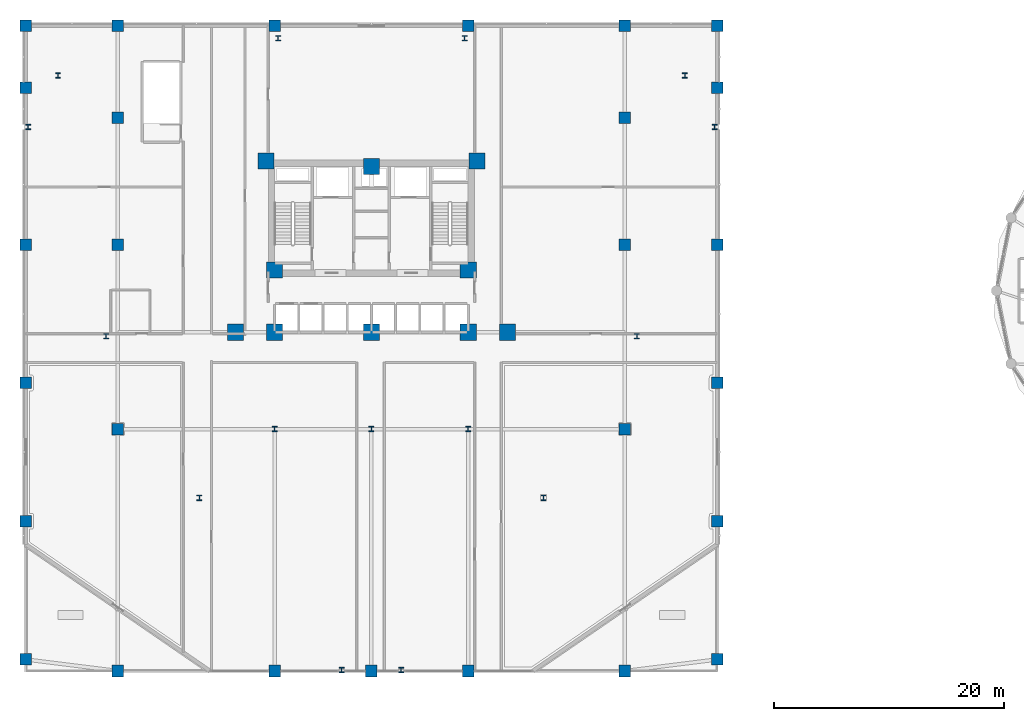
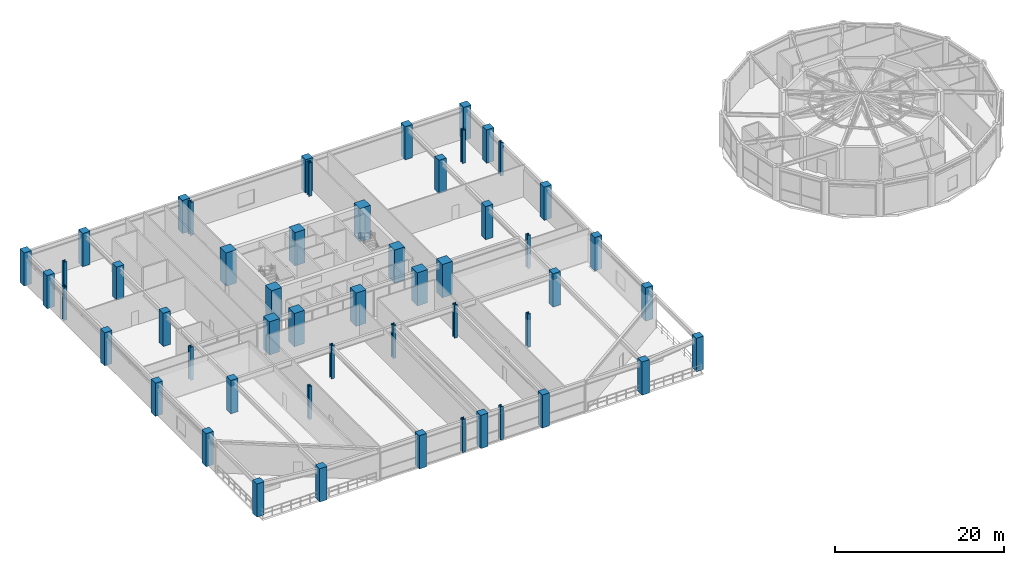
# One storey, part 1 of 26: 52 columns.
"""IFC4 building model written with IfcOpenShell, lengths in metres."""

from ifc_helpers import new_model, si_unit, derived_unit, direction, frame, origin, origin_2d, place, context, subcontext, project, spatial, rectangle, i_section, extrude, source, transform, mapped, material, material_profile, profile_set, type_object, element, save


model = new_model("IFC4")

# Units and contexts
model_context = context("Model", 3, precision=1e-05, world=origin(), true_north=direction((0.0, 1.0)))
body_context = subcontext(model_context, "Body", "Model", "MODEL_VIEW")
ifc_project = project(units=[si_unit("LENGTHUNIT", "METRE"), si_unit("AREAUNIT", "SQUARE_METRE"), si_unit("VOLUMEUNIT", "CUBIC_METRE"), si_unit("PLANEANGLEUNIT", "RADIAN"), si_unit("MASSUNIT", "GRAM", prefix="KILO"), derived_unit("THERMALTRANSMITTANCEUNIT", [(si_unit("POWERUNIT", "WATT"), 1), (si_unit("LENGTHUNIT", "METRE"), -2), (si_unit("THERMODYNAMICTEMPERATUREUNIT", "KELVIN"), -1)])], contexts=[model_context])

# Site, building, storey
site_placement = place(None, origin())
site = spatial("IfcSite", under=ifc_project, at=site_placement, CompositionType="ELEMENT")
building_placement = place(site_placement, origin())
building = spatial("IfcBuilding", under=site, at=building_placement, Name="Korsvarv Bourse and Concert Hall", CompositionType="ELEMENT")
storey_placement = place(building_placement, frame((0.0, 0.0, 19.199951171875)))
storey = spatial("IfcBuildingStorey", under=building, at=storey_placement, Name="L04", CompositionType="ELEMENT", Elevation=19.199951171875)

# Columns
ifc_material_1 = material(Name="Concrete C60/75", Category="concrete")
ifc_material_profile_1 = material_profile(ifc_material_1, rectangle(XDim=1.39990234375, YDim=1.39990234375, at=origin_2d()), Name="RC 1400x1400")
ifc_profile_set_1 = profile_set([ifc_material_profile_1], Name="Concrete C60/75")
column_type_1 = type_object("IfcColumnType", Name="COL-RC1400", PredefinedType="COLUMN", material=ifc_profile_set_1)
shared_shape_1 = source(origin(), body_context, "Body", "SweptSolid", [
    extrude(rectangle(XDim=1.39990234375, YDim=1.39990234375, at=origin_2d()), origin(), (0.0, 0.0, 1.0), 4.800048828125),
])
for number, where, z_axis, x_axis, name in (
    (1, (26.85009765625, 47.25, 0.0), (0.0, 0.0, 1.0), (1.0, 0.0, 0.0), "L04 column C-01"),
    (2, (45.14990234375, 47.25, 0.0), (0.0, 0.0, 1.0), (1.0, 0.0, 0.0), "L04 column C-01"),
    (3, (27.60009765625, 37.800048828125, 0.0), (0.0, 0.0, 1.0), (1.0, 0.0, 0.0), "L04 column C-01"),
    (4, (44.39990234375, 37.800048828125, 0.0), (0.0, 0.0, 1.0), (1.0, 0.0, 0.0), "L04 column C-01"),
    (5, (27.60009765625, 32.39990234375, 0.0), (0.0, 0.0, 1.0), (1.0, 0.0, 0.0), "L04 column C-01"),
    (6, (44.39990234375, 32.39990234375, 0.0), (0.0, 0.0, 1.0), (1.0, 0.0, 0.0), "L04 column C-01"),
    (7, (36.0, 46.800048828125, 0.0), (0.0, 0.0, 1.0), (1.0, 0.0, 0.0), "L04 column C-01"),
    (8, (36.0, 32.39990234375, 0.0), (0.0, 0.0, 1.0), (1.0, 0.0, 0.0), "L04 column C-01"),
    (9, (24.199951171875, 32.39990234375, 0.0), (0.0, 0.0, 1.0), (1.0, 0.0, 0.0), "L04 column C-01"),
    (10, (47.800048828125, 32.39990234375, 0.0), (0.0, 0.0, 1.0), (1.0, 0.0, 0.0), "L04 column C-01"),
):
    element("IfcColumn", number, at=place(storey_placement, frame(where, z_axis=z_axis, x_axis=x_axis)), inside=storey, type_object=column_type_1, Name=name, PredefinedType="COLUMN", context=body_context, shape_type="MappedRepresentation", body=[
        mapped(shared_shape_1, transform((0.0, 0.0, 0.0), scale=1.0)),
    ])
ifc_material_2 = material(Name="Steel S460", Category="steel")
ifc_material_profile_2 = material_profile(ifc_material_2, i_section(OverallWidth=0.424072265625, OverallDepth=0.47412109375, WebThickness=0.044921875, FlangeThickness=0.072021484375, FilletRadius=0.014892578125, at=origin_2d()), Name="HD 400x634")
ifc_profile_set_2 = profile_set([ifc_material_profile_2], Name="Steel S460")
column_type_2 = type_object("IfcColumnType", Name="COL-HD634", PredefinedType="COLUMN", material=ifc_profile_set_2)
shared_shape_2 = source(origin(), body_context, "Body", "SweptSolid", [
    extrude(i_section(OverallWidth=0.424072265625, OverallDepth=0.47412109375, WebThickness=0.044921875, FlangeThickness=0.072021484375, FilletRadius=0.014892578125, at=origin_2d()), origin(), (0.0, 0.0, 1.0), 4.800048828125),
])
for number, where, z_axis, x_axis, name in (
    (11, (27.60009765625, 24.0, 0.0), (0.0, 0.0, 1.0), (1.0, 0.0, 0.0), "L04 column C-07"),
    (12, (44.39990234375, 24.0, 0.0), (0.0, 0.0, 1.0), (1.0, 0.0, 0.0), "L04 column C-07"),
    (13, (36.0, 24.0, 0.0), (0.0, 0.0, 1.0), (1.0, 0.0, 0.0), "L04 column C-07"),
    (14, (65.78857421875, 50.21728515625, 0.0), (0.0, 0.0, 1.0), (1.0, 0.0, 0.0), "L04 column C-07"),
    (15, (63.206787109375, 54.689208984375, 0.0), (0.0, 0.0, 1.0), (1.0, 0.0, 0.0), "L04 column C-07"),
    (16, (44.097412109375, 57.9169921875, 0.0), (0.0, 0.0, 1.0), (1.0, 0.0, 0.0), "L04 column C-07"),
    (17, (27.902587890625, 57.9169921875, 0.0), (0.0, 0.0, 1.0), (1.0, 0.0, 0.0), "L04 column C-07"),
    (18, (8.793212890625, 54.689208984375, 0.0), (0.0, 0.0, 1.0), (1.0, 0.0, 0.0), "L04 column C-07"),
    (19, (6.21142578125, 50.21728515625, 0.0), (0.0, 0.0, 1.0), (1.0, 0.0, 0.0), "L04 column C-07"),
    (20, (12.970458984375, 32.05419921875, 0.0), (0.0, 0.0, 1.0), (1.0, 0.0, 0.0), "L04 column C-07"),
    (21, (21.06787109375, 18.02880859375, 0.0), (0.0, 0.0, 1.0), (1.0, 0.0, 0.0), "L04 column C-07"),
    (22, (33.418212890625, 3.09375, 0.0), (0.0, 0.0, 1.0), (1.0, 0.0, 0.0), "L04 column C-07"),
    (23, (38.581787109375, 3.09375, 0.0), (0.0, 0.0, 1.0), (1.0, 0.0, 0.0), "L04 column C-07"),
    (24, (50.93212890625, 18.02880859375, 0.0), (0.0, 0.0, 1.0), (1.0, 0.0, 0.0), "L04 column C-07"),
    (25, (59.029541015625, 32.05419921875, 0.0), (0.0, 0.0, 1.0), (1.0, 0.0, 0.0), "L04 column C-07"),
):
    element("IfcColumn", number, at=place(storey_placement, frame(where, z_axis=z_axis, x_axis=x_axis)), inside=storey, type_object=column_type_2, Name=name, PredefinedType="COLUMN", context=body_context, shape_type="MappedRepresentation", body=[
        mapped(shared_shape_2, transform((0.0, 0.0, 0.0), scale=1.0)),
    ])
ifc_material_3 = material(Name="Concrete C55/67", Category="concrete")
ifc_material_profile_3 = material_profile(ifc_material_3, rectangle(XDim=1.0, YDim=1.0, at=origin_2d()), Name="RC 1000x1000")
ifc_profile_set_3 = profile_set([ifc_material_profile_3], Name="Concrete C55/67")
column_type_3 = type_object("IfcColumnType", Name="COL-RC1000", PredefinedType="COLUMN", material=ifc_profile_set_3)
shared_shape_3 = source(origin(), body_context, "Body", "SweptSolid", [
    extrude(rectangle(XDim=1.0, YDim=1.0, at=origin_2d()), origin(), (0.0, 0.0, 1.0), 4.800048828125),
])
for number, where, z_axis, x_axis, name in (
    (26, (6.0, 4.0, 0.0), (0.0, 0.0, 1.0), (1.0, 0.0, 0.0), "L04 column C-03"),
    (27, (6.0, 16.0, 0.0), (0.0, 0.0, 1.0), (1.0, 0.0, 0.0), "L04 column C-03"),
    (28, (6.0, 28.0, 0.0), (0.0, 0.0, 1.0), (1.0, 0.0, 0.0), "L04 column C-03"),
    (29, (6.0, 40.0, 0.0), (0.0, 0.0, 1.0), (1.0, 0.0, 0.0), "L04 column C-03"),
    (30, (6.0, 53.60009765625, 0.0), (0.0, 0.0, 1.0), (1.0, 0.0, 0.0), "L04 column C-03"),
    (31, (6.0, 59.0, 0.0), (0.0, 0.0, 1.0), (1.0, 0.0, 0.0), "L04 column C-03"),
    (32, (66.0, 4.0, 0.0), (0.0, 0.0, 1.0), (1.0, 0.0, 0.0), "L04 column C-03"),
    (33, (66.0, 16.0, 0.0), (0.0, 0.0, 1.0), (1.0, 0.0, 0.0), "L04 column C-03"),
    (34, (66.0, 28.0, 0.0), (0.0, 0.0, 1.0), (1.0, 0.0, 0.0), "L04 column C-03"),
    (35, (66.0, 40.0, 0.0), (0.0, 0.0, 1.0), (1.0, 0.0, 0.0), "L04 column C-03"),
    (36, (66.0, 53.60009765625, 0.0), (0.0, 0.0, 1.0), (1.0, 0.0, 0.0), "L04 column C-03"),
    (37, (66.0, 59.0, 0.0), (0.0, 0.0, 1.0), (1.0, 0.0, 0.0), "L04 column C-03"),
    (38, (14.0, 3.0, 0.0), (0.0, 0.0, 1.0), (1.0, 0.0, 0.0), "L04 column C-03"),
    (39, (27.60009765625, 3.0, 0.0), (0.0, 0.0, 1.0), (1.0, 0.0, 0.0), "L04 column C-03"),
    (40, (36.0, 3.0, 0.0), (0.0, 0.0, 1.0), (1.0, 0.0, 0.0), "L04 column C-03"),
    (41, (44.39990234375, 3.0, 0.0), (0.0, 0.0, 1.0), (1.0, 0.0, 0.0), "L04 column C-03"),
    (42, (58.0, 3.0, 0.0), (0.0, 0.0, 1.0), (1.0, 0.0, 0.0), "L04 column C-03"),
    (43, (14.0, 59.0, 0.0), (0.0, 0.0, 1.0), (1.0, 0.0, 0.0), "L04 column C-03"),
    (44, (27.60009765625, 59.0, 0.0), (0.0, 0.0, 1.0), (1.0, 0.0, 0.0), "L04 column C-03"),
    (45, (44.39990234375, 59.0, 0.0), (0.0, 0.0, 1.0), (1.0, 0.0, 0.0), "L04 column C-03"),
    (46, (58.0, 59.0, 0.0), (0.0, 0.0, 1.0), (1.0, 0.0, 0.0), "L04 column C-03"),
    (47, (14.0, 24.0, 0.0), (0.0, 0.0, 1.0), (1.0, 0.0, 0.0), "L04 column C-03"),
    (48, (58.0, 24.0, 0.0), (0.0, 0.0, 1.0), (1.0, 0.0, 0.0), "L04 column C-03"),
    (49, (14.0, 40.0, 0.0), (0.0, 0.0, 1.0), (1.0, 0.0, 0.0), "L04 column C-03"),
    (50, (58.0, 40.0, 0.0), (0.0, 0.0, 1.0), (1.0, 0.0, 0.0), "L04 column C-03"),
    (51, (14.0, 51.0, 0.0), (0.0, 0.0, 1.0), (1.0, 0.0, 0.0), "L04 column C-03"),
    (52, (58.0, 51.0, 0.0), (0.0, 0.0, 1.0), (1.0, 0.0, 0.0), "L04 column C-03"),
):
    element("IfcColumn", number, at=place(storey_placement, frame(where, z_axis=z_axis, x_axis=x_axis)), inside=storey, type_object=column_type_3, Name=name, PredefinedType="COLUMN", context=body_context, shape_type="MappedRepresentation", body=[
        mapped(shared_shape_3, transform((0.0, 0.0, 0.0), scale=1.0)),
    ])

save(model, "model.ifc")
